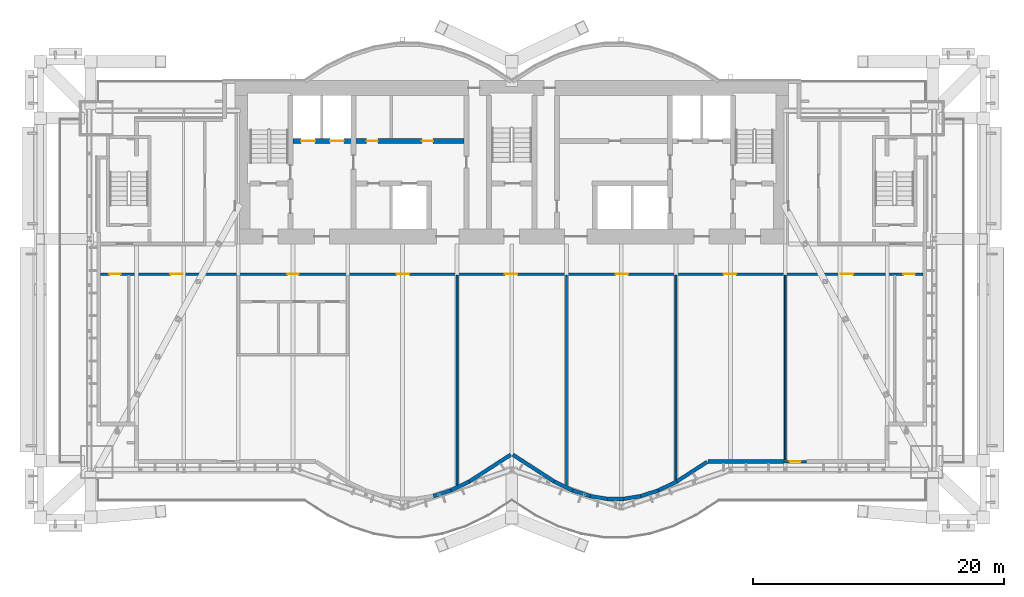
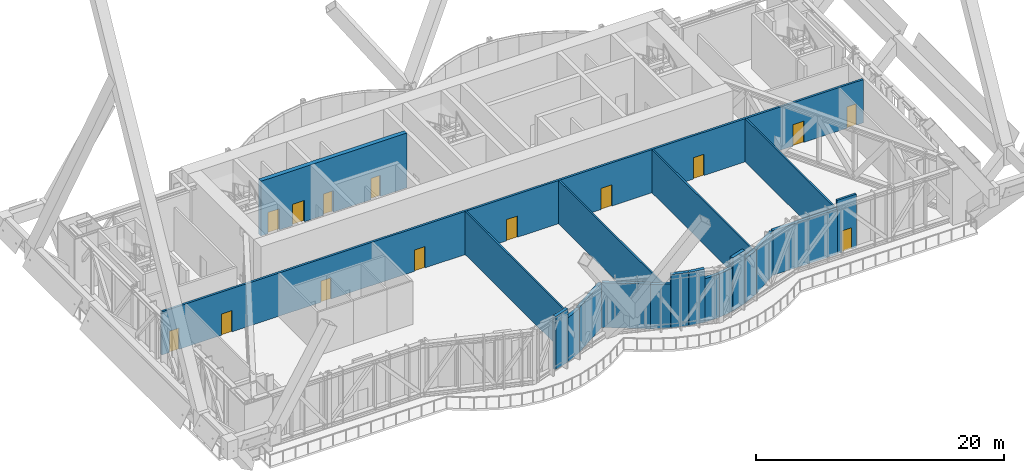
# One storey, part 24 of 30: 20 walls, 14 doors, 14 openings.
"""IFC4 building model written with IfcOpenShell, lengths in metres."""

from ifc_helpers import new_model, si_unit, direction, frame, frame_2d, origin, place, context, subcontext, project, spatial, rectangle, extrude, material, layer, layer_set, layer_usage, type_object, element, fill, save


model = new_model("IFC4")

# Units and contexts
model_context = context("Model", 3, precision=1e-05, world=origin(), true_north=direction((0.0, 1.0)))
body_context = subcontext(model_context, "Body", "Model", "MODEL_VIEW")
ifc_project = project(units=[si_unit("LENGTHUNIT", "METRE"), si_unit("AREAUNIT", "SQUARE_METRE"), si_unit("VOLUMEUNIT", "CUBIC_METRE"), si_unit("PLANEANGLEUNIT", "RADIAN"), si_unit("MASSUNIT", "GRAM", prefix="KILO")], contexts=[model_context])

# Site, building, storey
site_placement = place(None, origin())
site = spatial("IfcSite", under=ifc_project, at=site_placement, CompositionType="ELEMENT")
building_placement = place(site_placement, origin())
building = spatial("IfcBuilding", under=site, at=building_placement, Name="Bicima Exchange Tower", CompositionType="ELEMENT")
storey_placement = place(building_placement, frame((0.0, 0.0, 185.5)))
storey = spatial("IfcBuildingStorey", under=building, at=storey_placement, Name="L41", CompositionType="ELEMENT", Elevation=185.5)

# Wall, opening, door
ifc_material_1 = material(Name="Concrete C40/50", Category="concrete")
ifc_layer_1 = layer(ifc_material_1, 0.2)
ifc_layer_set_1 = layer_set([ifc_layer_1], Name="Concrete C40/50")
ifc_layer_usage_1 = layer_usage(ifc_layer_set_1, "AXIS2", "POSITIVE", -0.1)
wall_type_1 = type_object("IfcWallType", Name="Entrance frame wall 200", PredefinedType="STANDARD", material=ifc_layer_set_1)
wall_1_placement = place(storey_placement, frame((23.449951171875, -30.31005859375, 0.0), z_axis=(0.0, 0.0, 1.0), x_axis=(-1.0, 0.0, 0.0)))
wall_1 = element("IfcWall", 1, at=wall_1_placement, inside=storey, type_object=wall_type_1, material=ifc_layer_usage_1, Name="Band door frame wall L41", PredefinedType="STANDARD", context=body_context, shape_type="SweptSolid", body=[
    extrude(rectangle(XDim=1.800048828125, YDim=0.199951171875, at=frame_2d((0.89990234375, 0.0))), origin(), (0.0, 0.0, 1.0), 5.25),
])
opening_1_placement = place(wall_1_placement, frame((0.449951171875, 0.0, 0.0)))
opening_1 = element("IfcOpeningElement", 2, at=opening_1_placement, cuts=wall_1, Name="Opening DX5", PredefinedType="OPENING", context=body_context, shape_type="SweptSolid", body=[
    extrude(rectangle(XDim=0.89990234375, YDim=2.10009765625, at=frame_2d((0.449951171875, 1.050048828125))), frame((0.0, 0.11181640625, 0.0), z_axis=(0.0, -1.0, 0.0), x_axis=(1.0, 0.0, 0.0)), (0.0, 0.0, 1.0), 0.223876953125),
])
ifc_material_2 = material(Name="Anodised bronze aluminium and bonded safety glass", Category="aluminium")
door_type_1 = type_object("IfcDoorType", Name="Band terrace door, single leaf 900 x 2100", OperationType="SINGLE_SWING_LEFT", PredefinedType="DOOR", material=ifc_material_2)
door_1_placement = place(opening_1_placement, origin())
door_1 = element("IfcDoor", 3, at=door_1_placement, inside=storey, type_object=door_type_1, Name="Band door door L41", OperationType="SINGLE_SWING_LEFT", OverallHeight=2.10009765625, OverallWidth=0.89990234375, PredefinedType="DOOR", context=body_context, shape_type="SweptSolid", body=[
    extrude(rectangle(XDim=0.89990234375, YDim=2.10009765625, at=frame_2d((0.449951171875, 1.050048828125))), frame((0.0, 0.02490234375, 0.0), z_axis=(0.0, -1.0, 0.0), x_axis=(1.0, 0.0, 0.0)), (0.0, 0.0, 1.0), 0.050048828125),
])
fill(opening_1, door_1)

# Wall, openings, doors
ifc_material_3 = material(Name="Gypsum board partition")
ifc_layer_2 = layer(ifc_material_3, 0.199951171875)
ifc_layer_set_2 = layer_set([ifc_layer_2], Name="Gypsum board partition")
wall_type_2 = type_object("IfcWallType", Name="Fire-rated gypsum partition 200 EI60", PredefinedType="PARTITIONING", material=ifc_layer_set_2)
wall_2_placement = place(storey_placement, frame((-32.699951171875, -15.39990234375, 0.0), z_axis=(0.0, 0.0, 1.0), x_axis=(1.0, 0.0, 0.0)))
wall_2 = element("IfcWall", 4, at=wall_2_placement, inside=storey, type_object=wall_type_2, Name="partition wall 5", PredefinedType="PARTITIONING", context=body_context, shape_type="SweptSolid", body=[
    extrude(rectangle(XDim=65.39990234375, YDim=0.199951171875, at=frame_2d((32.699951171875, 0.0))), origin(), (0.0, 0.0, 1.0), 4.259765625),
])
opening_2_placement = place(wall_2_placement, frame((0.699951171875, 0.0, 0.0)))
opening_2 = element("IfcOpeningElement", 5, at=opening_2_placement, cuts=wall_2, Name="Opening L41-007", PredefinedType="OPENING", context=body_context, shape_type="SweptSolid", body=[
    extrude(rectangle(XDim=0.89990234375, YDim=2.10009765625, at=frame_2d((0.449951171875, 1.050048828125))), frame((0.0, 0.11181640625, 0.0), z_axis=(0.0, -1.0, 0.0), x_axis=(1.0, 0.0, 0.0)), (0.0, 0.0, 1.0), 0.223876953125),
])
opening_3_placement = place(wall_2_placement, frame((5.550048828125, 0.0, 0.0)))
opening_3 = element("IfcOpeningElement", 6, at=opening_3_placement, cuts=wall_2, Name="Opening L41-008", PredefinedType="OPENING", context=body_context, shape_type="SweptSolid", body=[
    extrude(rectangle(XDim=1.0, YDim=2.10009765625, at=frame_2d((0.5, 1.050048828125))), frame((0.0, 0.11181640625, 0.0), z_axis=(0.0, -1.0, 0.0), x_axis=(1.0, 0.0, 0.0)), (0.0, 0.0, 1.0), 0.223876953125),
])
opening_4_placement = place(wall_2_placement, frame((14.85009765625, 0.0, 0.0)))
opening_4 = element("IfcOpeningElement", 7, at=opening_4_placement, cuts=wall_2, Name="Opening L41-009", PredefinedType="OPENING", context=body_context, shape_type="SweptSolid", body=[
    extrude(rectangle(XDim=0.89990234375, YDim=2.10009765625, at=frame_2d((0.449951171875, 1.050048828125))), frame((0.0, 0.11181640625, 0.0), z_axis=(0.0, -1.0, 0.0), x_axis=(1.0, 0.0, 0.0)), (0.0, 0.0, 1.0), 0.223876953125),
])
opening_5_placement = place(wall_2_placement, frame((23.550048828125, 0.0, 0.0)))
opening_5 = element("IfcOpeningElement", 8, at=opening_5_placement, cuts=wall_2, Name="Opening L41-013", PredefinedType="OPENING", context=body_context, shape_type="SweptSolid", body=[
    extrude(rectangle(XDim=1.0, YDim=2.10009765625, at=frame_2d((0.5, 1.050048828125))), frame((0.0, 0.11181640625, 0.0), z_axis=(0.0, -1.0, 0.0), x_axis=(1.0, 0.0, 0.0)), (0.0, 0.0, 1.0), 0.223876953125),
])
opening_6_placement = place(wall_2_placement, frame((32.14990234375, 0.0, 0.0)))
opening_6 = element("IfcOpeningElement", 9, at=opening_6_placement, cuts=wall_2, Name="Opening L41-014", PredefinedType="OPENING", context=body_context, shape_type="SweptSolid", body=[
    extrude(rectangle(XDim=1.0, YDim=2.10009765625, at=frame_2d((0.5, 1.050048828125))), frame((0.0, 0.11181640625, 0.0), z_axis=(0.0, -1.0, 0.0), x_axis=(1.0, 0.0, 0.0)), (0.0, 0.0, 1.0), 0.223876953125),
])
opening_7_placement = place(wall_2_placement, frame((40.949951171875, 0.0, 0.0)))
opening_7 = element("IfcOpeningElement", 10, at=opening_7_placement, cuts=wall_2, Name="Opening L41-015", PredefinedType="OPENING", context=body_context, shape_type="SweptSolid", body=[
    extrude(rectangle(XDim=1.0, YDim=2.10009765625, at=frame_2d((0.5, 1.050048828125))), frame((0.0, 0.11181640625, 0.0), z_axis=(0.0, -1.0, 0.0), x_axis=(1.0, 0.0, 0.0)), (0.0, 0.0, 1.0), 0.223876953125),
])
opening_8_placement = place(wall_2_placement, frame((49.550048828125, 0.0, 0.0)))
opening_8 = element("IfcOpeningElement", 11, at=opening_8_placement, cuts=wall_2, Name="Opening L41-016", PredefinedType="OPENING", context=body_context, shape_type="SweptSolid", body=[
    extrude(rectangle(XDim=1.0, YDim=2.10009765625, at=frame_2d((0.5, 1.050048828125))), frame((0.0, 0.11181640625, 0.0), z_axis=(0.0, -1.0, 0.0), x_axis=(1.0, 0.0, 0.0)), (0.0, 0.0, 1.0), 0.223876953125),
])
opening_9_placement = place(wall_2_placement, frame((58.85009765625, 0.0, 0.0)))
opening_9 = element("IfcOpeningElement", 12, at=opening_9_placement, cuts=wall_2, Name="Opening L41-017", PredefinedType="OPENING", context=body_context, shape_type="SweptSolid", body=[
    extrude(rectangle(XDim=1.0, YDim=2.10009765625, at=frame_2d((0.5, 1.050048828125))), frame((0.0, 0.11181640625, 0.0), z_axis=(0.0, -1.0, 0.0), x_axis=(1.0, 0.0, 0.0)), (0.0, 0.0, 1.0), 0.223876953125),
])
opening_10_placement = place(wall_2_placement, frame((63.85009765625, 0.0, 0.0)))
opening_10 = element("IfcOpeningElement", 13, at=opening_10_placement, cuts=wall_2, Name="Opening L41-018", PredefinedType="OPENING", context=body_context, shape_type="SweptSolid", body=[
    extrude(rectangle(XDim=0.89990234375, YDim=2.10009765625, at=frame_2d((0.449951171875, 1.050048828125))), frame((0.0, 0.11181640625, 0.0), z_axis=(0.0, -1.0, 0.0), x_axis=(1.0, 0.0, 0.0)), (0.0, 0.0, 1.0), 0.223876953125),
])
ifc_material_4 = material(Name="Steel fire door leaf", Category="steel")
door_type_2 = type_object("IfcDoorType", Name="Door 1000 swing FD30S", OperationType="SINGLE_SWING_LEFT", PredefinedType="DOOR", material=ifc_material_4)
door_2_placement = place(opening_3_placement, frame((1.0, 0.0, 0.0), z_axis=(0.0, 0.0, 1.0), x_axis=(-1.0, 0.0, 0.0)))
door_2 = element("IfcDoor", 14, at=door_2_placement, inside=storey, type_object=door_type_2, Name="Door", OperationType="SINGLE_SWING_RIGHT", OverallHeight=2.10009765625, OverallWidth=1.0, PredefinedType="DOOR", context=body_context, shape_type="SweptSolid", body=[
    extrude(rectangle(XDim=1.0, YDim=2.10009765625, at=frame_2d((0.5, 1.050048828125))), frame((0.0, 0.02490234375, 0.0), z_axis=(0.0, -1.0, 0.0), x_axis=(1.0, 0.0, 0.0)), (0.0, 0.0, 1.0), 0.050048828125),
])
fill(opening_3, door_2)
door_3_placement = place(opening_5_placement, frame((1.0, 0.0, 0.0), z_axis=(0.0, 0.0, 1.0), x_axis=(-1.0, 0.0, 0.0)))
door_3 = element("IfcDoor", 15, at=door_3_placement, inside=storey, type_object=door_type_2, Name="Door", OperationType="SINGLE_SWING_LEFT", OverallHeight=2.10009765625, OverallWidth=1.0, PredefinedType="DOOR", context=body_context, shape_type="SweptSolid", body=[
    extrude(rectangle(XDim=1.0, YDim=2.10009765625, at=frame_2d((0.5, 1.050048828125))), frame((0.0, 0.02490234375, 0.0), z_axis=(0.0, -1.0, 0.0), x_axis=(1.0, 0.0, 0.0)), (0.0, 0.0, 1.0), 0.050048828125),
])
fill(opening_5, door_3)
door_4_placement = place(opening_6_placement, frame((1.0, 0.0, 0.0), z_axis=(0.0, 0.0, 1.0), x_axis=(-1.0, 0.0, 0.0)))
door_4 = element("IfcDoor", 16, at=door_4_placement, inside=storey, type_object=door_type_2, Name="Door", OperationType="SINGLE_SWING_RIGHT", OverallHeight=2.10009765625, OverallWidth=1.0, PredefinedType="DOOR", context=body_context, shape_type="SweptSolid", body=[
    extrude(rectangle(XDim=1.0, YDim=2.10009765625, at=frame_2d((0.5, 1.050048828125))), frame((0.0, 0.02490234375, 0.0), z_axis=(0.0, -1.0, 0.0), x_axis=(1.0, 0.0, 0.0)), (0.0, 0.0, 1.0), 0.050048828125),
])
fill(opening_6, door_4)
door_5_placement = place(opening_7_placement, frame((1.0, 0.0, 0.0), z_axis=(0.0, 0.0, 1.0), x_axis=(-1.0, 0.0, 0.0)))
door_5 = element("IfcDoor", 17, at=door_5_placement, inside=storey, type_object=door_type_2, Name="Door", OperationType="SINGLE_SWING_RIGHT", OverallHeight=2.10009765625, OverallWidth=1.0, PredefinedType="DOOR", context=body_context, shape_type="SweptSolid", body=[
    extrude(rectangle(XDim=1.0, YDim=2.10009765625, at=frame_2d((0.5, 1.050048828125))), frame((0.0, 0.02490234375, 0.0), z_axis=(0.0, -1.0, 0.0), x_axis=(1.0, 0.0, 0.0)), (0.0, 0.0, 1.0), 0.050048828125),
])
fill(opening_7, door_5)
door_6_placement = place(opening_8_placement, frame((1.0, 0.0, 0.0), z_axis=(0.0, 0.0, 1.0), x_axis=(-1.0, 0.0, 0.0)))
door_6 = element("IfcDoor", 18, at=door_6_placement, inside=storey, type_object=door_type_2, Name="Door", OperationType="SINGLE_SWING_LEFT", OverallHeight=2.10009765625, OverallWidth=1.0, PredefinedType="DOOR", context=body_context, shape_type="SweptSolid", body=[
    extrude(rectangle(XDim=1.0, YDim=2.10009765625, at=frame_2d((0.5, 1.050048828125))), frame((0.0, 0.02490234375, 0.0), z_axis=(0.0, -1.0, 0.0), x_axis=(1.0, 0.0, 0.0)), (0.0, 0.0, 1.0), 0.050048828125),
])
fill(opening_8, door_6)
door_7_placement = place(opening_9_placement, frame((1.0, 0.0, 0.0), z_axis=(0.0, 0.0, 1.0), x_axis=(-1.0, 0.0, 0.0)))
door_7 = element("IfcDoor", 19, at=door_7_placement, inside=storey, type_object=door_type_2, Name="Door", OperationType="SINGLE_SWING_RIGHT", OverallHeight=2.10009765625, OverallWidth=1.0, PredefinedType="DOOR", context=body_context, shape_type="SweptSolid", body=[
    extrude(rectangle(XDim=1.0, YDim=2.10009765625, at=frame_2d((0.5, 1.050048828125))), frame((0.0, 0.02490234375, 0.0), z_axis=(0.0, -1.0, 0.0), x_axis=(1.0, 0.0, 0.0)), (0.0, 0.0, 1.0), 0.050048828125),
])
fill(opening_9, door_7)
door_type_3 = type_object("IfcDoorType", Name="Door 900 swing FD30S", OperationType="SINGLE_SWING_LEFT", PredefinedType="DOOR", material=ifc_material_4)
door_8_placement = place(opening_2_placement, frame((0.89990234375, 0.0, 0.0), z_axis=(0.0, 0.0, 1.0), x_axis=(-1.0, 0.0, 0.0)))
door_8 = element("IfcDoor", 20, at=door_8_placement, inside=storey, type_object=door_type_3, Name="Door", OperationType="SINGLE_SWING_LEFT", OverallHeight=2.10009765625, OverallWidth=0.89990234375, PredefinedType="DOOR", context=body_context, shape_type="SweptSolid", body=[
    extrude(rectangle(XDim=0.89990234375, YDim=2.10009765625, at=frame_2d((0.449951171875, 1.050048828125))), frame((0.0, 0.02490234375, 0.0), z_axis=(0.0, -1.0, 0.0), x_axis=(1.0, 0.0, 0.0)), (0.0, 0.0, 1.0), 0.050048828125),
])
fill(opening_2, door_8)
door_9_placement = place(opening_4_placement, frame((0.89990234375, 0.0, 0.0), z_axis=(0.0, 0.0, 1.0), x_axis=(-1.0, 0.0, 0.0)))
door_9 = element("IfcDoor", 21, at=door_9_placement, inside=storey, type_object=door_type_3, Name="Door", OperationType="SINGLE_SWING_RIGHT", OverallHeight=2.10009765625, OverallWidth=0.89990234375, PredefinedType="DOOR", context=body_context, shape_type="SweptSolid", body=[
    extrude(rectangle(XDim=0.89990234375, YDim=2.10009765625, at=frame_2d((0.449951171875, 1.050048828125))), frame((0.0, 0.02490234375, 0.0), z_axis=(0.0, -1.0, 0.0), x_axis=(1.0, 0.0, 0.0)), (0.0, 0.0, 1.0), 0.050048828125),
])
fill(opening_4, door_9)
door_10_placement = place(opening_10_placement, frame((0.89990234375, 0.0, 0.0), z_axis=(0.0, 0.0, 1.0), x_axis=(-1.0, 0.0, 0.0)))
door_10 = element("IfcDoor", 22, at=door_10_placement, inside=storey, type_object=door_type_3, Name="Door", OperationType="SINGLE_SWING_RIGHT", OverallHeight=2.10009765625, OverallWidth=0.89990234375, PredefinedType="DOOR", context=body_context, shape_type="SweptSolid", body=[
    extrude(rectangle(XDim=0.89990234375, YDim=2.10009765625, at=frame_2d((0.449951171875, 1.050048828125))), frame((0.0, 0.02490234375, 0.0), z_axis=(0.0, -1.0, 0.0), x_axis=(1.0, 0.0, 0.0)), (0.0, 0.0, 1.0), 0.050048828125),
])
fill(opening_10, door_10)

# Walls
ifc_layer_3 = layer(ifc_material_3, 0.14990234375)
ifc_layer_set_3 = layer_set([ifc_layer_3], Name="Gypsum board partition")
wall_type_3 = type_object("IfcWallType", Name="Gypsum partition 150", PredefinedType="PARTITIONING", material=ifc_layer_set_3)
for number, where, z_axis, x_axis, name in (
    (23, (-4.35009765625, -32.199951171875, 0.0), (0.0, 0.0, 1.0), (0.0, 1.0, 0.0), "partition wall 20"),
    (24, (4.35009765625, -32.199951171875, 0.0), (0.0, 0.0, 1.0), (0.0, 1.0, 0.0), "partition wall 21"),
):
    element("IfcWall", number, at=place(storey_placement, frame(where, z_axis=z_axis, x_axis=x_axis)), inside=storey, type_object=wall_type_3, Name=name, PredefinedType="PARTITIONING", context=body_context, shape_type="SweptSolid", body=[
        extrude(rectangle(XDim=16.699951171875, YDim=0.14990234375, at=frame_2d((8.35009765625, 0.0))), origin(), (0.0, 0.0, 1.0), 4.259765625),
    ])
wall_3_placement = place(storey_placement, frame((13.050048828125, -31.760009765625, 0.0), z_axis=(0.0, 0.0, 1.0), x_axis=(0.0, 1.0, 0.0)))
element("IfcWall", 25, at=wall_3_placement, inside=storey, type_object=wall_type_3, Name="partition wall 22", PredefinedType="PARTITIONING", context=body_context, shape_type="SweptSolid", body=[
    extrude(rectangle(XDim=16.260009765625, YDim=0.14990234375, at=frame_2d((8.1298828125, 0.0))), origin(), (0.0, 0.0, 1.0), 4.259765625),
])
wall_4_placement = place(storey_placement, frame((21.75, -30.159912109375, 0.0), z_axis=(0.0, 0.0, 1.0), x_axis=(0.0, 1.0, 0.0)))
element("IfcWall", 26, at=wall_4_placement, inside=storey, type_object=wall_type_3, Name="partition wall 23", PredefinedType="PARTITIONING", context=body_context, shape_type="SweptSolid", body=[
    extrude(rectangle(XDim=14.659912109375, YDim=0.14990234375, at=frame_2d((7.330078125, 0.0))), origin(), (0.0, 0.0, 1.0), 4.259765625),
])

# Wall, openings, doors
ifc_material_5 = material(Name="Concrete C50/60", Category="concrete")
ifc_layer_4 = layer(ifc_material_5, 0.39990234375)
ifc_layer_set_4 = layer_set([ifc_layer_4], Name="Concrete C50/60")
wall_type_4 = type_object("IfcWallType", Name="RC core wall 400 C50/60", PredefinedType="SHEAR", material=ifc_layer_set_4)
wall_5_placement = place(storey_placement, frame((-17.39990234375, -4.800048828125, 0.0), z_axis=(0.0, 0.0, 1.0), x_axis=(1.0, 0.0, 0.0)))
wall_5 = element("IfcWall", 27, at=wall_5_placement, inside=storey, type_object=wall_type_4, Name="shear wall 6", PredefinedType="SHEAR", context=body_context, shape_type="SweptSolid", body=[
    extrude(rectangle(XDim=13.599853515625, YDim=0.39990234375, at=frame_2d((6.7998046875, 0.0))), origin(), (0.0, 0.0, 1.0), 5.39990234375),
])
opening_11_placement = place(wall_5_placement, frame((0.64990234375, 0.0, 0.0)))
opening_11 = element("IfcOpeningElement", 28, at=opening_11_placement, cuts=wall_5, Name="Opening LD-FF1-L41", PredefinedType="OPENING", context=body_context, shape_type="SweptSolid", body=[
    extrude(rectangle(XDim=1.10009765625, YDim=2.10009765625, at=frame_2d((0.550048828125, 1.050048828125))), frame((0.0, 0.2119140625, 0.0), z_axis=(0.0, -1.0, 0.0), x_axis=(1.0, 0.0, 0.0)), (0.0, 0.0, 1.0), 0.423828125),
])
opening_12_placement = place(wall_5_placement, frame((2.949951171875, 0.0, 0.0)))
opening_12 = element("IfcOpeningElement", 29, at=opening_12_placement, cuts=wall_5, Name="Opening LD-FF3-L41", PredefinedType="OPENING", context=body_context, shape_type="SweptSolid", body=[
    extrude(rectangle(XDim=1.10009765625, YDim=2.10009765625, at=frame_2d((0.550048828125, 1.050048828125))), frame((0.0, 0.2119140625, 0.0), z_axis=(0.0, -1.0, 0.0), x_axis=(1.0, 0.0, 0.0)), (0.0, 0.0, 1.0), 0.423828125),
])
opening_13_placement = place(wall_5_placement, frame((5.85009765625, 0.0, 0.0)))
opening_13 = element("IfcOpeningElement", 30, at=opening_13_placement, cuts=wall_5, Name="Opening L41-C12", PredefinedType="OPENING", context=body_context, shape_type="SweptSolid", body=[
    extrude(rectangle(XDim=0.89990234375, YDim=2.10009765625, at=frame_2d((0.449951171875, 1.050048828125))), frame((0.0, 0.2119140625, 0.0), z_axis=(0.0, -1.0, 0.0), x_axis=(1.0, 0.0, 0.0)), (0.0, 0.0, 1.0), 0.423828125),
])
opening_14_placement = place(wall_5_placement, frame((10.25, 0.0, 0.0)))
opening_14 = element("IfcOpeningElement", 31, at=opening_14_placement, cuts=wall_5, Name="Opening L41-C13", PredefinedType="OPENING", context=body_context, shape_type="SweptSolid", body=[
    extrude(rectangle(XDim=0.89990234375, YDim=2.10009765625, at=frame_2d((0.449951171875, 1.050048828125))), frame((0.0, 0.2119140625, 0.0), z_axis=(0.0, -1.0, 0.0), x_axis=(1.0, 0.0, 0.0)), (0.0, 0.0, 1.0), 0.423828125),
])
door_11_placement = place(opening_13_placement, origin())
door_11 = element("IfcDoor", 32, at=door_11_placement, inside=storey, type_object=door_type_3, Name="Core door", OperationType="SINGLE_SWING_RIGHT", OverallHeight=2.10009765625, OverallWidth=0.89990234375, PredefinedType="DOOR", context=body_context, shape_type="SweptSolid", body=[
    extrude(rectangle(XDim=0.89990234375, YDim=2.10009765625, at=frame_2d((0.449951171875, 1.050048828125))), frame((0.0, 0.02490234375, 0.0), z_axis=(0.0, -1.0, 0.0), x_axis=(1.0, 0.0, 0.0)), (0.0, 0.0, 1.0), 0.050048828125),
])
fill(opening_13, door_11)
door_12_placement = place(opening_14_placement, origin())
door_12 = element("IfcDoor", 33, at=door_12_placement, inside=storey, type_object=door_type_3, Name="Core door", OperationType="SINGLE_SWING_LEFT", OverallHeight=2.10009765625, OverallWidth=0.89990234375, PredefinedType="DOOR", context=body_context, shape_type="SweptSolid", body=[
    extrude(rectangle(XDim=0.89990234375, YDim=2.10009765625, at=frame_2d((0.449951171875, 1.050048828125))), frame((0.0, 0.02490234375, 0.0), z_axis=(0.0, -1.0, 0.0), x_axis=(1.0, 0.0, 0.0)), (0.0, 0.0, 1.0), 0.050048828125),
])
fill(opening_14, door_12)
ifc_material_6 = material(Name="Stainless steel", Category="steel")
door_type_4 = type_object("IfcDoorType", Name="Lift landing door 1100 sliding", OperationType="DOUBLE_DOOR_SLIDING", PredefinedType="DOOR", material=ifc_material_6)
door_13_placement = place(opening_11_placement, origin())
door_13 = element("IfcDoor", 34, at=door_13_placement, inside=storey, type_object=door_type_4, Name="Lift landing door FF1", OperationType="DOUBLE_DOOR_SLIDING", OverallHeight=2.10009765625, OverallWidth=1.10009765625, PredefinedType="DOOR", context=body_context, shape_type="SweptSolid", body=[
    extrude(rectangle(XDim=1.10009765625, YDim=2.10009765625, at=frame_2d((0.550048828125, 1.050048828125))), frame((0.0, 0.02490234375, 0.0), z_axis=(0.0, -1.0, 0.0), x_axis=(1.0, 0.0, 0.0)), (0.0, 0.0, 1.0), 0.050048828125),
])
fill(opening_11, door_13)
door_14_placement = place(opening_12_placement, origin())
door_14 = element("IfcDoor", 35, at=door_14_placement, inside=storey, type_object=door_type_4, Name="Lift landing door FF3", OperationType="DOUBLE_DOOR_SLIDING", OverallHeight=2.10009765625, OverallWidth=1.10009765625, PredefinedType="DOOR", context=body_context, shape_type="SweptSolid", body=[
    extrude(rectangle(XDim=1.10009765625, YDim=2.10009765625, at=frame_2d((0.550048828125, 1.050048828125))), frame((0.0, 0.02490234375, 0.0), z_axis=(0.0, -1.0, 0.0), x_axis=(1.0, 0.0, 0.0)), (0.0, 0.0, 1.0), 0.050048828125),
])
fill(opening_12, door_14)

# Walls
ifc_layer_5 = layer(ifc_material_1, 0.3)
ifc_layer_set_5 = layer_set([ifc_layer_5], Name="Concrete C40/50")
ifc_layer_usage_2 = layer_usage(ifc_layer_set_5, "AXIS2", "POSITIVE", -0.15)
wall_type_5 = type_object("IfcWallType", Name="Refuge band wall 300", PredefinedType="STANDARD", material=ifc_layer_set_5)
wall_6_placement = place(storey_placement, frame((-6.239990234375, -33.055419921875, 0.0), z_axis=(0.0, 0.0, 1.0), x_axis=(0.951539081691, 0.307527845919, 0.0)))
element("IfcWall", 36, at=wall_6_placement, inside=storey, type_object=wall_type_5, material=ifc_layer_usage_2, Name="Refuge band wall L41", PredefinedType="STANDARD", context=body_context, shape_type="SweptSolid", body=[
    extrude(rectangle(XDim=1.467041015625, YDim=0.300048828125, at=frame_2d((0.7333984375, 0.0))), origin(), (0.0, 0.0, 1.0), 5.25),
])
wall_7_placement = place(storey_placement, frame((-4.843994140625, -32.604248046875, 0.0), z_axis=(0.0, 0.0, 1.0), x_axis=(0.899798026589, 0.436306671214, 0.0)))
element("IfcWall", 37, at=wall_7_placement, inside=storey, type_object=wall_type_5, material=ifc_layer_usage_2, Name="Refuge band wall L41", PredefinedType="STANDARD", context=body_context, shape_type="SweptSolid", body=[
    extrude(rectangle(XDim=1.62548828125, YDim=0.300048828125, at=frame_2d((0.812744140625, 0.0))), origin(), (0.0, 0.0, 1.0), 4.345703125),
])
for number, where, z_axis, x_axis, name in (
    (38, (-3.38134765625, -31.89501953125, 0.0), (0.0, 0.0, 1.0), (0.839805110115, 0.542887996759, 0.0), "Refuge band wall L41"),
    (39, (0.081298828125, -29.76171875, 0.0), (0.0, 0.0, 1.0), (0.839805110115, -0.542887996759, 0.0), "Refuge band wall L41"),
):
    element("IfcWall", number, at=place(storey_placement, frame(where, z_axis=z_axis, x_axis=x_axis)), inside=storey, type_object=wall_type_5, material=ifc_layer_usage_2, Name=name, PredefinedType="STANDARD", context=body_context, shape_type="SweptSolid", body=[
        extrude(rectangle(XDim=3.929443359375, YDim=0.300048828125, at=frame_2d((1.96484375, 0.0))), origin(), (0.0, 0.0, 1.0), 4.414306640625),
    ])
wall_8_placement = place(storey_placement, frame((3.38134765625, -31.89501953125, 0.0), z_axis=(0.0, 0.0, 1.0), x_axis=(0.899798026589, -0.436306671214, 0.0)))
element("IfcWall", 40, at=wall_8_placement, inside=storey, type_object=wall_type_5, material=ifc_layer_usage_2, Name="Refuge band wall L41", PredefinedType="STANDARD", context=body_context, shape_type="SweptSolid", body=[
    extrude(rectangle(XDim=1.62548828125, YDim=0.300048828125, at=frame_2d((0.812744140625, 0.0))), origin(), (0.0, 0.0, 1.0), 4.345703125),
])
wall_9_placement = place(storey_placement, frame((4.843994140625, -32.604248046875, 0.0), z_axis=(0.0, 0.0, 1.0), x_axis=(0.951539081691, -0.307527845919, 0.0)))
element("IfcWall", 41, at=wall_9_placement, inside=storey, type_object=wall_type_5, material=ifc_layer_usage_2, Name="Refuge band wall L41", PredefinedType="STANDARD", context=body_context, shape_type="SweptSolid", body=[
    extrude(rectangle(XDim=1.467041015625, YDim=0.300048828125, at=frame_2d((0.7333984375, 0.0))), origin(), (0.0, 0.0, 1.0), 5.25),
])
wall_10_placement = place(storey_placement, frame((6.239990234375, -33.055419921875, 0.0), z_axis=(0.0, 0.0, 1.0), x_axis=(0.987194777017, -0.15951950423, 0.0)))
element("IfcWall", 42, at=wall_10_placement, inside=storey, type_object=wall_type_5, material=ifc_layer_usage_2, Name="Refuge band wall L41", PredefinedType="STANDARD", context=body_context, shape_type="SweptSolid", body=[
    extrude(rectangle(XDim=1.36376953125, YDim=0.300048828125, at=frame_2d((0.681884765625, 0.0))), origin(), (0.0, 0.0, 1.0), 5.25),
])
wall_11_placement = place(storey_placement, frame((7.586181640625, -33.27294921875, 0.0), z_axis=(0.0, 0.0, 1.0), x_axis=(1.0, 0.0, 0.0)))
element("IfcWall", 43, at=wall_11_placement, inside=storey, type_object=wall_type_5, material=ifc_layer_usage_2, Name="Refuge band wall L41", PredefinedType="STANDARD", context=body_context, shape_type="SweptSolid", body=[
    extrude(rectangle(XDim=1.32763671875, YDim=0.300048828125, at=frame_2d((0.663818359375, 0.0))), origin(), (0.0, 0.0, 1.0), 4.27978515625),
])
wall_12_placement = place(storey_placement, frame((8.913818359375, -33.27294921875, 0.0), z_axis=(0.0, 0.0, 1.0), x_axis=(0.987194777017, 0.15951950423, 0.0)))
element("IfcWall", 44, at=wall_12_placement, inside=storey, type_object=wall_type_5, material=ifc_layer_usage_2, Name="Refuge band wall L41", PredefinedType="STANDARD", context=body_context, shape_type="SweptSolid", body=[
    extrude(rectangle(XDim=1.36376953125, YDim=0.300048828125, at=frame_2d((0.681884765625, 0.0))), origin(), (0.0, 0.0, 1.0), 4.27978515625),
])
wall_13_placement = place(storey_placement, frame((10.260009765625, -33.055419921875, 0.0), z_axis=(0.0, 0.0, 1.0), x_axis=(0.951539081691, 0.307527845919, 0.0)))
element("IfcWall", 45, at=wall_13_placement, inside=storey, type_object=wall_type_5, material=ifc_layer_usage_2, Name="Refuge band wall L41", PredefinedType="STANDARD", context=body_context, shape_type="SweptSolid", body=[
    extrude(rectangle(XDim=1.467041015625, YDim=0.300048828125, at=frame_2d((0.7333984375, 0.0))), origin(), (0.0, 0.0, 1.0), 5.25),
])
wall_14_placement = place(storey_placement, frame((11.656005859375, -32.604248046875, 0.0), z_axis=(0.0, 0.0, 1.0), x_axis=(0.899798026589, 0.436306671214, 0.0)))
element("IfcWall", 46, at=wall_14_placement, inside=storey, type_object=wall_type_5, material=ifc_layer_usage_2, Name="Refuge band wall L41", PredefinedType="STANDARD", context=body_context, shape_type="SweptSolid", body=[
    extrude(rectangle(XDim=1.62548828125, YDim=0.300048828125, at=frame_2d((0.812744140625, 0.0))), origin(), (0.0, 0.0, 1.0), 4.345703125),
])
wall_15_placement = place(storey_placement, frame((13.11865234375, -31.89501953125, 0.0), z_axis=(0.0, 0.0, 1.0), x_axis=(0.839779682339, 0.542927329512, 0.0)))
element("IfcWall", 47, at=wall_15_placement, inside=storey, type_object=wall_type_5, material=ifc_layer_usage_2, Name="Refuge band wall L41", PredefinedType="STANDARD", context=body_context, shape_type="SweptSolid", body=[
    extrude(rectangle(XDim=2.875244140625, YDim=0.300048828125, at=frame_2d((1.4375, 0.0))), origin(), (0.0, 0.0, 1.0), 4.345703125),
])
wall_16_placement = place(storey_placement, frame((15.61474609375, -30.31005859375, 0.0), z_axis=(0.0, 0.0, 1.0), x_axis=(1.0, 0.0, 0.0)))
element("IfcWall", 48, at=wall_16_placement, inside=storey, type_object=wall_type_5, material=ifc_layer_usage_2, Name="Refuge band wall L41", PredefinedType="STANDARD", context=body_context, shape_type="SweptSolid", body=[
    extrude(rectangle(XDim=6.03515625, YDim=0.300048828125, at=frame_2d((3.017578125, 0.0))), origin(), (0.0, 0.0, 1.0), 4.414306640625),
])

save(model, "model.ifc")
